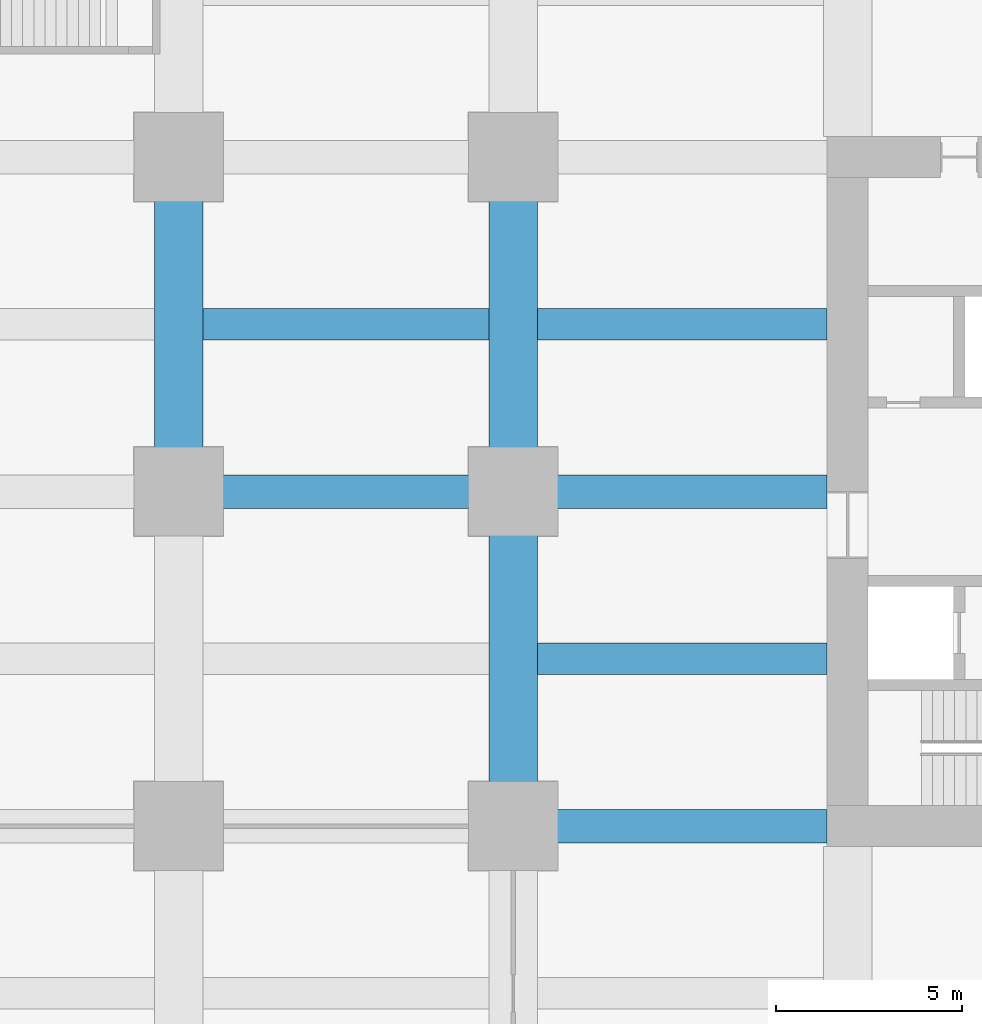
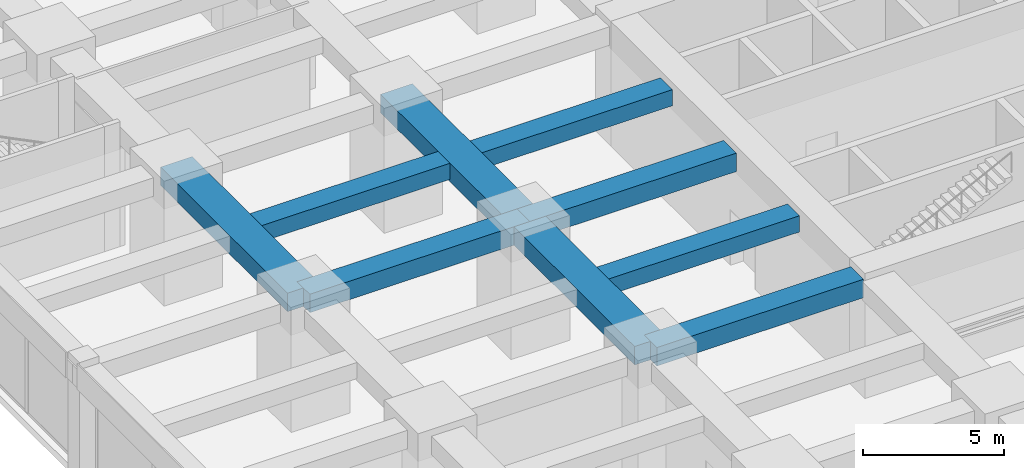
# One storey, part 12 of 45: 9 beams.
"""IFC4 building model written with IfcOpenShell, lengths in metres."""

from ifc_helpers import new_model, si_unit, direction, frame, origin, origin_2d, place, context, subcontext, project, spatial, rectangle, extrude, material, material_profile, profile_set, type_object, element, save


model = new_model("IFC4")

# Units and contexts
model_context = context("Model", 3, precision=1e-05, world=origin(), true_north=direction((0.0, 1.0)))
body_context = subcontext(model_context, "Body", "Model", "MODEL_VIEW")
ifc_project = project(units=[si_unit("LENGTHUNIT", "METRE"), si_unit("AREAUNIT", "SQUARE_METRE"), si_unit("VOLUMEUNIT", "CUBIC_METRE"), si_unit("PLANEANGLEUNIT", "RADIAN"), si_unit("MASSUNIT", "GRAM", prefix="KILO")], contexts=[model_context])

# Site, building, storey
site_placement = place(None, origin())
site = spatial("IfcSite", under=ifc_project, at=site_placement, CompositionType="ELEMENT")
building_placement = place(site_placement, origin())
building = spatial("IfcBuilding", under=site, at=building_placement, Name="Zorevar Civic Tower", CompositionType="ELEMENT")
storey_placement = place(building_placement, frame((0.0, 0.0, 5.39990234375)))
storey = spatial("IfcBuildingStorey", under=building, at=storey_placement, Name="L01", CompositionType="ELEMENT", Elevation=5.39990234375)

# Beams
ifc_material_1 = material(Name="Concrete C50/60", Category="concrete")
ifc_material_profile_1 = material_profile(ifc_material_1, rectangle(XDim=1.300048828125, YDim=0.800048828125, at=origin_2d()), Name="RC 1300x800")
ifc_profile_set_1 = profile_set([ifc_material_profile_1], Name="Concrete C50/60")
beam_type_1 = type_object("IfcBeamType", Name="Beam RC 1300x800", PredefinedType="BEAM", material=ifc_profile_set_1)
for number, where, z_axis, x_axis, name in (
    (1, (0.0, 27.0, 4.7001953125), (0.0, 1.0, 0.0), (-1.0, 0.0, 0.0), "Girder L02"),
    (2, (9.0, 18.0, 4.7001953125), (0.0, 1.0, 0.0), (-1.0, 0.0, 0.0), "Girder L02"),
    (3, (9.0, 27.0, 4.7001953125), (0.0, 1.0, 0.0), (-1.0, 0.0, 0.0), "Girder L02"),
):
    element("IfcBeam", number, at=place(storey_placement, frame(where, z_axis=z_axis, x_axis=x_axis)), inside=storey, type_object=beam_type_1, Name=name, PredefinedType="BEAM", context=body_context, shape_type="SweptSolid", body=[
        extrude(rectangle(XDim=1.300048828125, YDim=0.800048828125, at=origin_2d()), origin(), (0.0, 0.0, 1.0), 9.0),
    ])
ifc_material_2 = material(Name="Concrete C50/60", Category="concrete")
ifc_material_profile_2 = material_profile(ifc_material_2, rectangle(XDim=0.85009765625, YDim=0.699951171875, at=origin_2d()), Name="RC 850x700")
ifc_profile_set_2 = profile_set([ifc_material_profile_2], Name="Concrete C50/60")
beam_type_2 = type_object("IfcBeamType", Name="Beam RC 850x700", PredefinedType="BEAM", material=ifc_profile_set_2)
beam_1_placement = place(storey_placement, frame((9.64990234375, 22.5, 4.75), z_axis=(1.0, 0.0, 0.0), x_axis=(0.0, 1.0, 0.0)))
element("IfcBeam", 4, at=beam_1_placement, inside=storey, type_object=beam_type_2, Name="Secondary beam L02", PredefinedType="BEAM", context=body_context, shape_type="SweptSolid", body=[
    extrude(rectangle(XDim=0.85009765625, YDim=0.699951171875, at=origin_2d()), origin(), (0.0, 0.0, 1.0), 7.800048828125),
])
beam_2_placement = place(storey_placement, frame((0.64990234375, 31.5, 4.75), z_axis=(1.0, 0.0, 0.0), x_axis=(0.0, 1.0, 0.0)))
element("IfcBeam", 5, at=beam_2_placement, inside=storey, type_object=beam_type_2, Name="Secondary beam L02", PredefinedType="BEAM", context=body_context, shape_type="SweptSolid", body=[
    extrude(rectangle(XDim=0.85009765625, YDim=0.699951171875, at=origin_2d()), origin(), (0.0, 0.0, 1.0), 7.7001953125),
])
beam_3_placement = place(storey_placement, frame((9.64990234375, 31.5, 4.75), z_axis=(1.0, 0.0, 0.0), x_axis=(0.0, 1.0, 0.0)))
element("IfcBeam", 6, at=beam_3_placement, inside=storey, type_object=beam_type_2, Name="Secondary beam L02", PredefinedType="BEAM", context=body_context, shape_type="SweptSolid", body=[
    extrude(rectangle(XDim=0.85009765625, YDim=0.699951171875, at=origin_2d()), origin(), (0.0, 0.0, 1.0), 7.800048828125),
])
ifc_material_3 = material(Name="Concrete C50/60", Category="concrete")
ifc_material_profile_3 = material_profile(ifc_material_3, rectangle(XDim=0.89990234375, YDim=0.800048828125, at=origin_2d()), Name="RC 900x800")
ifc_profile_set_3 = profile_set([ifc_material_profile_3], Name="Concrete C50/60")
beam_type_3 = type_object("IfcBeamType", Name="Beam RC 900x800", PredefinedType="BEAM", material=ifc_profile_set_3)
beam_4_placement = place(storey_placement, frame((9.0, 18.0, 4.7001953125), z_axis=(1.0, 0.0, 0.0), x_axis=(0.0, 1.0, 0.0)))
element("IfcBeam", 7, at=beam_4_placement, inside=storey, type_object=beam_type_3, Name="Girder L02", PredefinedType="BEAM", context=body_context, shape_type="SweptSolid", body=[
    extrude(rectangle(XDim=0.89990234375, YDim=0.800048828125, at=origin_2d()), origin(), (0.0, 0.0, 1.0), 8.449951171875),
])
beam_5_placement = place(storey_placement, frame((0.0, 27.0, 4.7001953125), z_axis=(1.0, 0.0, 0.0), x_axis=(0.0, 1.0, 0.0)))
element("IfcBeam", 8, at=beam_5_placement, inside=storey, type_object=beam_type_3, Name="Girder L02", PredefinedType="BEAM", context=body_context, shape_type="SweptSolid", body=[
    extrude(rectangle(XDim=0.89990234375, YDim=0.800048828125, at=origin_2d()), origin(), (0.0, 0.0, 1.0), 9.0),
])
beam_6_placement = place(storey_placement, frame((9.0, 27.0, 4.7001953125), z_axis=(1.0, 0.0, 0.0), x_axis=(0.0, 1.0, 0.0)))
element("IfcBeam", 9, at=beam_6_placement, inside=storey, type_object=beam_type_3, Name="Girder L02", PredefinedType="BEAM", context=body_context, shape_type="SweptSolid", body=[
    extrude(rectangle(XDim=0.89990234375, YDim=0.800048828125, at=origin_2d()), origin(), (0.0, 0.0, 1.0), 8.449951171875),
])

save(model, "model.ifc")
